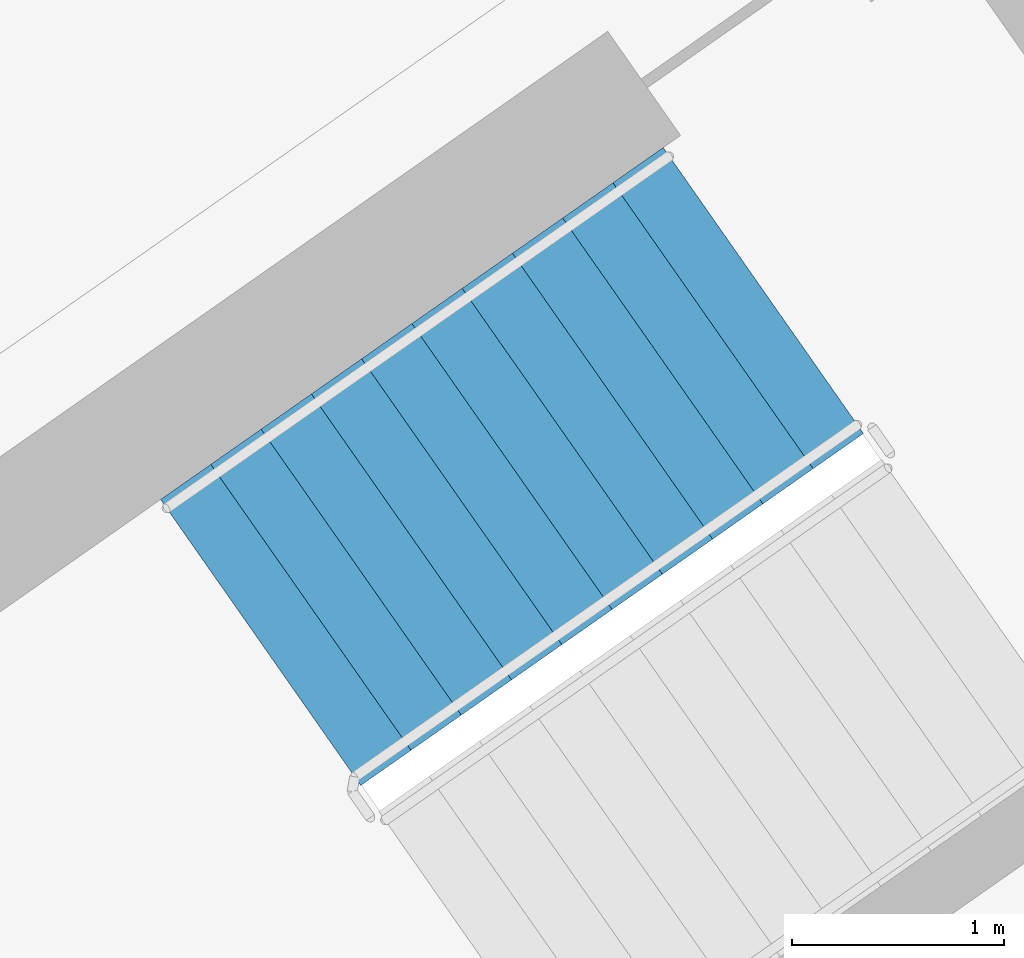
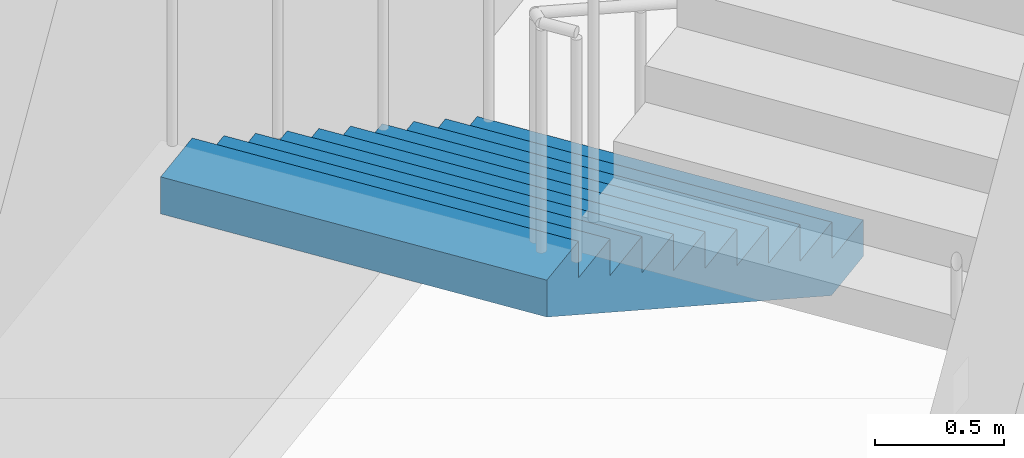
# One storey, part 16 of 27: 1 stair flight, 1 element without a shape of its own.
"""IFC4 building model written with IfcOpenShell, lengths in metres."""

from ifc_helpers import new_model, si_unit, direction, frame, origin, place, context, subcontext, project, spatial, faceted_brep, material, type_object, element, aggregate, save


model = new_model("IFC4")

# Units and contexts
model_context = context("Model", 3, precision=1e-05, world=origin(), true_north=direction((0.0, 1.0)))
body_context = subcontext(model_context, "Body", "Model", "MODEL_VIEW")
ifc_project = project(units=[si_unit("LENGTHUNIT", "METRE"), si_unit("AREAUNIT", "SQUARE_METRE"), si_unit("VOLUMEUNIT", "CUBIC_METRE"), si_unit("PLANEANGLEUNIT", "RADIAN"), si_unit("MASSUNIT", "GRAM", prefix="KILO")], contexts=[model_context])

# Site, building, storey
site_placement = place(None, origin())
site = spatial("IfcSite", under=ifc_project, at=site_placement, CompositionType="ELEMENT")
building_placement = place(site_placement, origin())
building = spatial("IfcBuilding", under=site, at=building_placement, Name="Qamariyya Broadcast Tower", CompositionType="ELEMENT")
storey_placement = place(building_placement, frame((0.0, 0.0, 237.89990234375)))
storey = spatial("IfcBuildingStorey", under=building, at=storey_placement, Name="L57", CompositionType="ELEMENT", Elevation=237.89990234375)

# Stair, stair flight
ifc_material = material(Name="Concrete C50/60", Category="concrete")
stair_type = type_object("IfcStairType", Name="Exit stair 22 risers of 173 mm", PredefinedType="HALF_TURN_STAIR", material=ifc_material)
stair_placement = place(storey_placement, origin())
stair = element("IfcStair", 1, at=stair_placement, inside=storey, type_object=stair_type, Name="L57 Stair E2", PredefinedType="HALF_TURN_STAIR")
stair_flight_type = type_object("IfcStairFlightType", Name="Exit stair flight 11 risers of 173 mm", PredefinedType="STRAIGHT", material=ifc_material)
stair_flight_placement = place(storey_placement, frame((40.558837890625, -47.685302734375, 0.0), z_axis=(0.0, 0.0, 1.0), x_axis=(-0.819152044289, -0.573576436351, 0.0)))
stair_flight = element("IfcStairFlight", 2, at=stair_flight_placement, type_object=stair_flight_type, Name="ST-E2 flight 1", NumberOfRisers=11, NumberOfTreads=10, PredefinedType="STRAIGHT", RiserHeight=0.172727273, TreadLength=0.29, context=body_context, shape_type="Brep", body=[
    faceted_brep([(0.0, 0.824951171875, 0.0), (0.0, 0.824951171875, 0.172607421875), (0.2900390625, 0.824951171875, 0.172607421875), (0.2900390625, 0.824951171875, 0.345458984375), (0.580078125, 0.824951171875, 0.345458984375), (0.580078125, 0.824951171875, 0.51806640625), (0.8701171875, 0.824951171875, 0.51806640625), (0.8701171875, 0.824951171875, 0.69091796875), (1.159912109375, 0.824951171875, 0.69091796875), (1.159912109375, 0.824951171875, 0.863525390625), (1.449951171875, 0.824951171875, 0.863525390625), (1.449951171875, 0.824951171875, 1.036376953125), (1.739990234375, 0.824951171875, 1.036376953125), (1.739990234375, 0.824951171875, 1.208984375), (2.030029296875, 0.824951171875, 1.208984375), (2.030029296875, 0.824951171875, 1.3818359375), (2.320068359375, 0.824951171875, 1.3818359375), (2.320068359375, 0.824951171875, 1.554443359375), (2.610107421875, 0.824951171875, 1.554443359375), (2.610107421875, 0.824951171875, 1.727294921875), (2.89990234375, 0.824951171875, 1.727294921875), (2.89990234375, 0.824951171875, 1.552734375), (0.29296875, 0.824951171875, 0.0), (0.29296875, -0.824951171875, 0.0), (2.89990234375, -0.824951171875, 1.552734375), (2.89990234375, -0.824951171875, 1.727294921875), (2.610107421875, -0.824951171875, 1.727294921875), (2.610107421875, -0.824951171875, 1.554443359375), (2.320068359375, -0.824951171875, 1.554443359375), (2.320068359375, -0.824951171875, 1.3818359375), (2.030029296875, -0.824951171875, 1.3818359375), (2.030029296875, -0.824951171875, 1.208984375), (1.739990234375, -0.824951171875, 1.208984375), (1.739990234375, -0.824951171875, 1.036376953125), (1.449951171875, -0.824951171875, 1.036376953125), (1.449951171875, -0.824951171875, 0.863525390625), (1.159912109375, -0.824951171875, 0.863525390625), (1.159912109375, -0.824951171875, 0.69091796875), (0.8701171875, -0.824951171875, 0.69091796875), (0.8701171875, -0.824951171875, 0.51806640625), (0.580078125, -0.824951171875, 0.51806640625), (0.580078125, -0.824951171875, 0.345458984375), (0.2900390625, -0.824951171875, 0.345458984375), (0.2900390625, -0.824951171875, 0.172607421875), (0.0, -0.824951171875, 0.172607421875), (0.0, -0.824951171875, 0.0), (0.0, 0.10009765625, 0.0), (0.0, 0.086669921875, 0.0), (0.0, 0.0732421875, 0.0), (0.0, 0.06005859375, 0.0), (0.0, 0.046630859375, 0.0), (0.0, 0.033447265625, 0.0), (0.0, 0.02001953125, 0.0), (0.0, 0.006591796875, 0.0), (0.0, -0.006591796875, 0.0), (0.0, -0.02001953125, 0.0), (0.0, -0.033447265625, 0.0), (0.0, -0.046630859375, 0.0), (0.0, -0.06005859375, 0.0), (0.0, -0.0732421875, 0.0), (0.0, -0.086669921875, 0.0), (0.0, -0.10009765625, 0.0), (0.0, -0.10009765625, 0.172607421875), (0.0, -0.086669921875, 0.172607421875), (0.0, -0.0732421875, 0.172607421875), (0.0, -0.06005859375, 0.172607421875), (0.0, -0.046630859375, 0.172607421875), (0.0, -0.033447265625, 0.172607421875), (0.0, -0.02001953125, 0.172607421875), (0.0, -0.006591796875, 0.172607421875), (0.0, 0.006591796875, 0.172607421875), (0.0, 0.02001953125, 0.172607421875), (0.0, 0.033447265625, 0.172607421875), (0.0, 0.046630859375, 0.172607421875), (0.0, 0.06005859375, 0.172607421875), (0.0, 0.0732421875, 0.172607421875), (0.0, 0.086669921875, 0.172607421875), (0.0, 0.10009765625, 0.172607421875), (0.2900390625, -0.10009765625, 0.172607421875), (0.2900390625, -0.086669921875, 0.172607421875), (0.2900390625, -0.0732421875, 0.172607421875), (0.2900390625, -0.06005859375, 0.172607421875), (0.2900390625, -0.046630859375, 0.172607421875), (0.2900390625, -0.033447265625, 0.172607421875), (0.2900390625, -0.02001953125, 0.172607421875), (0.2900390625, -0.006591796875, 0.172607421875), (0.2900390625, 0.006591796875, 0.172607421875), (0.2900390625, 0.02001953125, 0.172607421875), (0.2900390625, 0.033447265625, 0.172607421875), (0.2900390625, 0.046630859375, 0.172607421875), (0.2900390625, 0.06005859375, 0.172607421875), (0.2900390625, 0.0732421875, 0.172607421875), (0.2900390625, 0.086669921875, 0.172607421875), (0.2900390625, 0.10009765625, 0.172607421875), (0.2900390625, -0.10009765625, 0.345458984375), (0.2900390625, -0.086669921875, 0.345458984375), (0.2900390625, -0.0732421875, 0.345458984375), (0.2900390625, -0.06005859375, 0.345458984375), (0.2900390625, -0.046630859375, 0.345458984375), (0.2900390625, -0.033447265625, 0.345458984375), (0.2900390625, -0.02001953125, 0.345458984375), (0.2900390625, -0.006591796875, 0.345458984375), (0.2900390625, 0.006591796875, 0.345458984375), (0.2900390625, 0.02001953125, 0.345458984375), (0.2900390625, 0.033447265625, 0.345458984375), (0.2900390625, 0.046630859375, 0.345458984375), (0.2900390625, 0.06005859375, 0.345458984375), (0.2900390625, 0.0732421875, 0.345458984375), (0.2900390625, 0.086669921875, 0.345458984375), (0.2900390625, 0.10009765625, 0.345458984375), (0.580078125, -0.10009765625, 0.345458984375), (0.580078125, -0.086669921875, 0.345458984375), (0.580078125, -0.0732421875, 0.345458984375), (0.580078125, -0.06005859375, 0.345458984375), (0.580078125, -0.046630859375, 0.345458984375), (0.580078125, -0.033447265625, 0.345458984375), (0.580078125, -0.02001953125, 0.345458984375), (0.580078125, -0.006591796875, 0.345458984375), (0.580078125, 0.006591796875, 0.345458984375), (0.580078125, 0.02001953125, 0.345458984375), (0.580078125, 0.033447265625, 0.345458984375), (0.580078125, 0.046630859375, 0.345458984375), (0.580078125, 0.06005859375, 0.345458984375), (0.580078125, 0.0732421875, 0.345458984375), (0.580078125, 0.086669921875, 0.345458984375), (0.580078125, 0.10009765625, 0.345458984375), (0.580078125, -0.10009765625, 0.51806640625), (0.580078125, -0.086669921875, 0.51806640625), (0.580078125, -0.0732421875, 0.51806640625), (0.580078125, -0.06005859375, 0.51806640625), (0.580078125, -0.046630859375, 0.51806640625), (0.580078125, -0.033447265625, 0.51806640625), (0.580078125, -0.02001953125, 0.51806640625), (0.580078125, -0.006591796875, 0.51806640625), (0.580078125, 0.006591796875, 0.51806640625), (0.580078125, 0.02001953125, 0.51806640625), (0.580078125, 0.033447265625, 0.51806640625), (0.580078125, 0.046630859375, 0.51806640625), (0.580078125, 0.06005859375, 0.51806640625), (0.580078125, 0.0732421875, 0.51806640625), (0.580078125, 0.086669921875, 0.51806640625), (0.580078125, 0.10009765625, 0.51806640625), (0.8701171875, -0.10009765625, 0.51806640625), (0.8701171875, -0.086669921875, 0.51806640625), (0.8701171875, -0.0732421875, 0.51806640625), (0.8701171875, -0.06005859375, 0.51806640625), (0.8701171875, -0.046630859375, 0.51806640625), (0.8701171875, -0.033447265625, 0.51806640625), (0.8701171875, -0.02001953125, 0.51806640625), (0.8701171875, -0.006591796875, 0.51806640625), (0.8701171875, 0.006591796875, 0.51806640625), (0.8701171875, 0.02001953125, 0.51806640625), (0.8701171875, 0.033447265625, 0.51806640625), (0.8701171875, 0.046630859375, 0.51806640625), (0.8701171875, 0.06005859375, 0.51806640625), (0.8701171875, 0.0732421875, 0.51806640625), (0.8701171875, 0.086669921875, 0.51806640625), (0.8701171875, 0.10009765625, 0.51806640625), (0.8701171875, -0.10009765625, 0.69091796875), (0.8701171875, -0.086669921875, 0.69091796875), (0.8701171875, -0.0732421875, 0.69091796875), (0.8701171875, -0.06005859375, 0.69091796875), (0.8701171875, -0.046630859375, 0.69091796875), (0.8701171875, -0.033447265625, 0.69091796875), (0.8701171875, -0.02001953125, 0.69091796875), (0.8701171875, -0.006591796875, 0.69091796875), (0.8701171875, 0.006591796875, 0.69091796875), (0.8701171875, 0.02001953125, 0.69091796875), (0.8701171875, 0.033447265625, 0.69091796875), (0.8701171875, 0.046630859375, 0.69091796875), (0.8701171875, 0.06005859375, 0.69091796875), (0.8701171875, 0.0732421875, 0.69091796875), (0.8701171875, 0.086669921875, 0.69091796875), (0.8701171875, 0.10009765625, 0.69091796875), (1.159912109375, -0.10009765625, 0.69091796875), (1.159912109375, -0.086669921875, 0.69091796875), (1.159912109375, -0.0732421875, 0.69091796875), (1.159912109375, -0.06005859375, 0.69091796875), (1.159912109375, -0.046630859375, 0.69091796875), (1.159912109375, -0.033447265625, 0.69091796875), (1.159912109375, -0.02001953125, 0.69091796875), (1.159912109375, -0.006591796875, 0.69091796875), (1.159912109375, 0.006591796875, 0.69091796875), (1.159912109375, 0.02001953125, 0.69091796875), (1.159912109375, 0.033447265625, 0.69091796875), (1.159912109375, 0.046630859375, 0.69091796875), (1.159912109375, 0.06005859375, 0.69091796875), (1.159912109375, 0.0732421875, 0.69091796875), (1.159912109375, 0.086669921875, 0.69091796875), (1.159912109375, 0.10009765625, 0.69091796875), (1.159912109375, -0.10009765625, 0.863525390625), (1.159912109375, -0.086669921875, 0.863525390625), (1.159912109375, -0.0732421875, 0.863525390625), (1.159912109375, -0.06005859375, 0.863525390625), (1.159912109375, -0.046630859375, 0.863525390625), (1.159912109375, -0.033447265625, 0.863525390625), (1.159912109375, -0.02001953125, 0.863525390625), (1.159912109375, -0.006591796875, 0.863525390625), (1.159912109375, 0.006591796875, 0.863525390625), (1.159912109375, 0.02001953125, 0.863525390625), (1.159912109375, 0.033447265625, 0.863525390625), (1.159912109375, 0.046630859375, 0.863525390625), (1.159912109375, 0.06005859375, 0.863525390625), (1.159912109375, 0.0732421875, 0.863525390625), (1.159912109375, 0.086669921875, 0.863525390625), (1.159912109375, 0.10009765625, 0.863525390625), (1.449951171875, -0.10009765625, 0.863525390625), (1.449951171875, -0.086669921875, 0.863525390625), (1.449951171875, -0.0732421875, 0.863525390625), (1.449951171875, -0.06005859375, 0.863525390625), (1.449951171875, -0.046630859375, 0.863525390625), (1.449951171875, -0.033447265625, 0.863525390625), (1.449951171875, -0.02001953125, 0.863525390625), (1.449951171875, -0.006591796875, 0.863525390625), (1.449951171875, 0.006591796875, 0.863525390625), (1.449951171875, 0.02001953125, 0.863525390625), (1.449951171875, 0.033447265625, 0.863525390625), (1.449951171875, 0.046630859375, 0.863525390625), (1.449951171875, 0.06005859375, 0.863525390625), (1.449951171875, 0.0732421875, 0.863525390625), (1.449951171875, 0.086669921875, 0.863525390625), (1.449951171875, 0.10009765625, 0.863525390625), (1.449951171875, -0.10009765625, 1.036376953125), (1.449951171875, -0.086669921875, 1.036376953125), (1.449951171875, -0.0732421875, 1.036376953125), (1.449951171875, -0.06005859375, 1.036376953125), (1.449951171875, -0.046630859375, 1.036376953125), (1.449951171875, -0.033447265625, 1.036376953125), (1.449951171875, -0.02001953125, 1.036376953125), (1.449951171875, -0.006591796875, 1.036376953125), (1.449951171875, 0.006591796875, 1.036376953125), (1.449951171875, 0.02001953125, 1.036376953125), (1.449951171875, 0.033447265625, 1.036376953125), (1.449951171875, 0.046630859375, 1.036376953125), (1.449951171875, 0.06005859375, 1.036376953125), (1.449951171875, 0.0732421875, 1.036376953125), (1.449951171875, 0.086669921875, 1.036376953125), (1.449951171875, 0.10009765625, 1.036376953125), (1.739990234375, -0.10009765625, 1.036376953125), (1.739990234375, -0.086669921875, 1.036376953125), (1.739990234375, -0.0732421875, 1.036376953125), (1.739990234375, -0.06005859375, 1.036376953125), (1.739990234375, -0.046630859375, 1.036376953125), (1.739990234375, -0.033447265625, 1.036376953125), (1.739990234375, -0.02001953125, 1.036376953125), (1.739990234375, -0.006591796875, 1.036376953125), (1.739990234375, 0.006591796875, 1.036376953125), (1.739990234375, 0.02001953125, 1.036376953125), (1.739990234375, 0.033447265625, 1.036376953125), (1.739990234375, 0.046630859375, 1.036376953125), (1.739990234375, 0.06005859375, 1.036376953125), (1.739990234375, 0.0732421875, 1.036376953125), (1.739990234375, 0.086669921875, 1.036376953125), (1.739990234375, 0.10009765625, 1.036376953125), (1.739990234375, -0.10009765625, 1.208984375), (1.739990234375, -0.086669921875, 1.208984375), (1.739990234375, -0.0732421875, 1.208984375), (1.739990234375, -0.06005859375, 1.208984375), (1.739990234375, -0.046630859375, 1.208984375), (1.739990234375, -0.033447265625, 1.208984375), (1.739990234375, -0.02001953125, 1.208984375), (1.739990234375, -0.006591796875, 1.208984375), (1.739990234375, 0.006591796875, 1.208984375), (1.739990234375, 0.02001953125, 1.208984375), (1.739990234375, 0.033447265625, 1.208984375), (1.739990234375, 0.046630859375, 1.208984375), (1.739990234375, 0.06005859375, 1.208984375), (1.739990234375, 0.0732421875, 1.208984375), (1.739990234375, 0.086669921875, 1.208984375), (1.739990234375, 0.10009765625, 1.208984375), (2.030029296875, -0.10009765625, 1.208984375), (2.030029296875, -0.086669921875, 1.208984375), (2.030029296875, -0.0732421875, 1.208984375), (2.030029296875, -0.06005859375, 1.208984375), (2.030029296875, -0.046630859375, 1.208984375), (2.030029296875, -0.033447265625, 1.208984375), (2.030029296875, -0.02001953125, 1.208984375), (2.030029296875, -0.006591796875, 1.208984375), (2.030029296875, 0.006591796875, 1.208984375), (2.030029296875, 0.02001953125, 1.208984375), (2.030029296875, 0.033447265625, 1.208984375), (2.030029296875, 0.046630859375, 1.208984375), (2.030029296875, 0.06005859375, 1.208984375), (2.030029296875, 0.0732421875, 1.208984375), (2.030029296875, 0.086669921875, 1.208984375), (2.030029296875, 0.10009765625, 1.208984375), (2.030029296875, -0.10009765625, 1.3818359375), (2.030029296875, -0.086669921875, 1.3818359375), (2.030029296875, -0.0732421875, 1.3818359375), (2.030029296875, -0.06005859375, 1.3818359375), (2.030029296875, -0.046630859375, 1.3818359375), (2.030029296875, -0.033447265625, 1.3818359375), (2.030029296875, -0.02001953125, 1.3818359375), (2.030029296875, -0.006591796875, 1.3818359375), (2.030029296875, 0.006591796875, 1.3818359375), (2.030029296875, 0.02001953125, 1.3818359375), (2.030029296875, 0.033447265625, 1.3818359375), (2.030029296875, 0.046630859375, 1.3818359375), (2.030029296875, 0.06005859375, 1.3818359375), (2.030029296875, 0.0732421875, 1.3818359375), (2.030029296875, 0.086669921875, 1.3818359375), (2.030029296875, 0.10009765625, 1.3818359375), (2.320068359375, -0.10009765625, 1.3818359375), (2.320068359375, -0.086669921875, 1.3818359375), (2.320068359375, -0.0732421875, 1.3818359375), (2.320068359375, -0.06005859375, 1.3818359375), (2.320068359375, -0.046630859375, 1.3818359375), (2.320068359375, -0.033447265625, 1.3818359375), (2.320068359375, -0.02001953125, 1.3818359375), (2.320068359375, -0.006591796875, 1.3818359375), (2.320068359375, 0.006591796875, 1.3818359375), (2.320068359375, 0.02001953125, 1.3818359375), (2.320068359375, 0.033447265625, 1.3818359375), (2.320068359375, 0.046630859375, 1.3818359375), (2.320068359375, 0.06005859375, 1.3818359375), (2.320068359375, 0.0732421875, 1.3818359375), (2.320068359375, 0.086669921875, 1.3818359375), (2.320068359375, 0.10009765625, 1.3818359375), (2.320068359375, -0.10009765625, 1.554443359375), (2.320068359375, -0.086669921875, 1.554443359375), (2.320068359375, -0.0732421875, 1.554443359375), (2.320068359375, -0.06005859375, 1.554443359375), (2.320068359375, -0.046630859375, 1.554443359375), (2.320068359375, -0.033447265625, 1.554443359375), (2.320068359375, -0.02001953125, 1.554443359375), (2.320068359375, -0.006591796875, 1.554443359375), (2.320068359375, 0.006591796875, 1.554443359375), (2.320068359375, 0.02001953125, 1.554443359375), (2.320068359375, 0.033447265625, 1.554443359375), (2.320068359375, 0.046630859375, 1.554443359375), (2.320068359375, 0.06005859375, 1.554443359375), (2.320068359375, 0.0732421875, 1.554443359375), (2.320068359375, 0.086669921875, 1.554443359375), (2.320068359375, 0.10009765625, 1.554443359375), (2.610107421875, -0.10009765625, 1.554443359375), (2.610107421875, -0.086669921875, 1.554443359375), (2.610107421875, -0.0732421875, 1.554443359375), (2.610107421875, -0.06005859375, 1.554443359375), (2.610107421875, -0.046630859375, 1.554443359375), (2.610107421875, -0.033447265625, 1.554443359375), (2.610107421875, -0.02001953125, 1.554443359375), (2.610107421875, -0.006591796875, 1.554443359375), (2.610107421875, 0.006591796875, 1.554443359375), (2.610107421875, 0.02001953125, 1.554443359375), (2.610107421875, 0.033447265625, 1.554443359375), (2.610107421875, 0.046630859375, 1.554443359375), (2.610107421875, 0.06005859375, 1.554443359375), (2.610107421875, 0.0732421875, 1.554443359375), (2.610107421875, 0.086669921875, 1.554443359375), (2.610107421875, 0.10009765625, 1.554443359375), (2.610107421875, -0.10009765625, 1.727294921875), (2.610107421875, -0.086669921875, 1.727294921875), (2.610107421875, -0.0732421875, 1.727294921875), (2.610107421875, -0.06005859375, 1.727294921875), (2.610107421875, -0.046630859375, 1.727294921875), (2.610107421875, -0.033447265625, 1.727294921875), (2.610107421875, -0.02001953125, 1.727294921875), (2.610107421875, -0.006591796875, 1.727294921875), (2.610107421875, 0.006591796875, 1.727294921875), (2.610107421875, 0.02001953125, 1.727294921875), (2.610107421875, 0.033447265625, 1.727294921875), (2.610107421875, 0.046630859375, 1.727294921875), (2.610107421875, 0.06005859375, 1.727294921875), (2.610107421875, 0.0732421875, 1.727294921875), (2.610107421875, 0.086669921875, 1.727294921875), (2.610107421875, 0.10009765625, 1.727294921875), (2.89990234375, -0.10009765625, 1.727294921875), (2.89990234375, -0.086669921875, 1.727294921875), (2.89990234375, -0.0732421875, 1.727294921875), (2.89990234375, -0.06005859375, 1.727294921875), (2.89990234375, -0.046630859375, 1.727294921875), (2.89990234375, -0.033447265625, 1.727294921875), (2.89990234375, -0.02001953125, 1.727294921875), (2.89990234375, -0.006591796875, 1.727294921875), (2.89990234375, 0.006591796875, 1.727294921875), (2.89990234375, 0.02001953125, 1.727294921875), (2.89990234375, 0.033447265625, 1.727294921875), (2.89990234375, 0.046630859375, 1.727294921875), (2.89990234375, 0.06005859375, 1.727294921875), (2.89990234375, 0.0732421875, 1.727294921875), (2.89990234375, 0.086669921875, 1.727294921875), (2.89990234375, 0.10009765625, 1.727294921875), (2.89990234375, -0.10009765625, 1.552734375), (2.89990234375, -0.086669921875, 1.552734375), (2.89990234375, -0.0732421875, 1.552734375), (2.89990234375, -0.06005859375, 1.552734375), (2.89990234375, -0.046630859375, 1.552734375), (2.89990234375, -0.033447265625, 1.552734375), (2.89990234375, -0.02001953125, 1.552734375), (2.89990234375, -0.006591796875, 1.552734375), (2.89990234375, 0.006591796875, 1.552734375), (2.89990234375, 0.02001953125, 1.552734375), (2.89990234375, 0.033447265625, 1.552734375), (2.89990234375, 0.046630859375, 1.552734375), (2.89990234375, 0.06005859375, 1.552734375), (2.89990234375, 0.0732421875, 1.552734375), (2.89990234375, 0.086669921875, 1.552734375), (2.89990234375, 0.10009765625, 1.552734375), (0.29296875, -0.10009765625, 0.0), (0.29296875, -0.086669921875, 0.0), (0.29296875, -0.0732421875, 0.0), (0.29296875, -0.06005859375, 0.0), (0.29296875, -0.046630859375, 0.0), (0.29296875, -0.033447265625, 0.0), (0.29296875, -0.02001953125, 0.0), (0.29296875, -0.006591796875, 0.0), (0.29296875, 0.006591796875, 0.0), (0.29296875, 0.02001953125, 0.0), (0.29296875, 0.033447265625, 0.0), (0.29296875, 0.046630859375, 0.0), (0.29296875, 0.06005859375, 0.0), (0.29296875, 0.0732421875, 0.0), (0.29296875, 0.086669921875, 0.0), (0.29296875, 0.10009765625, 0.0)], [[[0, 1, 2, 3, 4, 5, 6, 7, 8, 9, 10, 11, 12, 13, 14, 15, 16, 17, 18, 19, 20, 21, 22]], [[23, 24, 25, 26, 27, 28, 29, 30, 31, 32, 33, 34, 35, 36, 37, 38, 39, 40, 41, 42, 43, 44, 45]], [[0, 46, 47, 48, 49, 50, 51, 52, 53, 54, 55, 56, 57, 58, 59, 60, 61, 45, 44, 62, 63, 64, 65, 66, 67, 68, 69, 70, 71, 72, 73, 74, 75, 76, 77, 1]], [[1, 77, 76, 75, 74, 73, 72, 71, 70, 69, 68, 67, 66, 65, 64, 63, 62, 44, 43, 78, 79, 80, 81, 82, 83, 84, 85, 86, 87, 88, 89, 90, 91, 92, 93, 2]], [[2, 93, 92, 91, 90, 89, 88, 87, 86, 85, 84, 83, 82, 81, 80, 79, 78, 43, 42, 94, 95, 96, 97, 98, 99, 100, 101, 102, 103, 104, 105, 106, 107, 108, 109, 3]], [[3, 109, 108, 107, 106, 105, 104, 103, 102, 101, 100, 99, 98, 97, 96, 95, 94, 42, 41, 110, 111, 112, 113, 114, 115, 116, 117, 118, 119, 120, 121, 122, 123, 124, 125, 4]], [[4, 125, 124, 123, 122, 121, 120, 119, 118, 117, 116, 115, 114, 113, 112, 111, 110, 41, 40, 126, 127, 128, 129, 130, 131, 132, 133, 134, 135, 136, 137, 138, 139, 140, 141, 5]], [[5, 141, 140, 139, 138, 137, 136, 135, 134, 133, 132, 131, 130, 129, 128, 127, 126, 40, 39, 142, 143, 144, 145, 146, 147, 148, 149, 150, 151, 152, 153, 154, 155, 156, 157, 6]], [[6, 157, 156, 155, 154, 153, 152, 151, 150, 149, 148, 147, 146, 145, 144, 143, 142, 39, 38, 158, 159, 160, 161, 162, 163, 164, 165, 166, 167, 168, 169, 170, 171, 172, 173, 7]], [[7, 173, 172, 171, 170, 169, 168, 167, 166, 165, 164, 163, 162, 161, 160, 159, 158, 38, 37, 174, 175, 176, 177, 178, 179, 180, 181, 182, 183, 184, 185, 186, 187, 188, 189, 8]], [[8, 189, 188, 187, 186, 185, 184, 183, 182, 181, 180, 179, 178, 177, 176, 175, 174, 37, 36, 190, 191, 192, 193, 194, 195, 196, 197, 198, 199, 200, 201, 202, 203, 204, 205, 9]], [[9, 205, 204, 203, 202, 201, 200, 199, 198, 197, 196, 195, 194, 193, 192, 191, 190, 36, 35, 206, 207, 208, 209, 210, 211, 212, 213, 214, 215, 216, 217, 218, 219, 220, 221, 10]], [[10, 221, 220, 219, 218, 217, 216, 215, 214, 213, 212, 211, 210, 209, 208, 207, 206, 35, 34, 222, 223, 224, 225, 226, 227, 228, 229, 230, 231, 232, 233, 234, 235, 236, 237, 11]], [[11, 237, 236, 235, 234, 233, 232, 231, 230, 229, 228, 227, 226, 225, 224, 223, 222, 34, 33, 238, 239, 240, 241, 242, 243, 244, 245, 246, 247, 248, 249, 250, 251, 252, 253, 12]], [[12, 253, 252, 251, 250, 249, 248, 247, 246, 245, 244, 243, 242, 241, 240, 239, 238, 33, 32, 254, 255, 256, 257, 258, 259, 260, 261, 262, 263, 264, 265, 266, 267, 268, 269, 13]], [[13, 269, 268, 267, 266, 265, 264, 263, 262, 261, 260, 259, 258, 257, 256, 255, 254, 32, 31, 270, 271, 272, 273, 274, 275, 276, 277, 278, 279, 280, 281, 282, 283, 284, 285, 14]], [[14, 285, 284, 283, 282, 281, 280, 279, 278, 277, 276, 275, 274, 273, 272, 271, 270, 31, 30, 286, 287, 288, 289, 290, 291, 292, 293, 294, 295, 296, 297, 298, 299, 300, 301, 15]], [[15, 301, 300, 299, 298, 297, 296, 295, 294, 293, 292, 291, 290, 289, 288, 287, 286, 30, 29, 302, 303, 304, 305, 306, 307, 308, 309, 310, 311, 312, 313, 314, 315, 316, 317, 16]], [[16, 317, 316, 315, 314, 313, 312, 311, 310, 309, 308, 307, 306, 305, 304, 303, 302, 29, 28, 318, 319, 320, 321, 322, 323, 324, 325, 326, 327, 328, 329, 330, 331, 332, 333, 17]], [[17, 333, 332, 331, 330, 329, 328, 327, 326, 325, 324, 323, 322, 321, 320, 319, 318, 28, 27, 334, 335, 336, 337, 338, 339, 340, 341, 342, 343, 344, 345, 346, 347, 348, 349, 18]], [[18, 349, 348, 347, 346, 345, 344, 343, 342, 341, 340, 339, 338, 337, 336, 335, 334, 27, 26, 350, 351, 352, 353, 354, 355, 356, 357, 358, 359, 360, 361, 362, 363, 364, 365, 19]], [[19, 365, 364, 363, 362, 361, 360, 359, 358, 357, 356, 355, 354, 353, 352, 351, 350, 26, 25, 366, 367, 368, 369, 370, 371, 372, 373, 374, 375, 376, 377, 378, 379, 380, 381, 20]], [[20, 381, 380, 379, 378, 377, 376, 375, 374, 373, 372, 371, 370, 369, 368, 367, 366, 25, 24, 382, 383, 384, 385, 386, 387, 388, 389, 390, 391, 392, 393, 394, 395, 396, 397, 21]], [[21, 397, 396, 395, 394, 393, 392, 391, 390, 389, 388, 387, 386, 385, 384, 383, 382, 24, 23, 398, 399, 400, 401, 402, 403, 404, 405, 406, 407, 408, 409, 410, 411, 412, 413, 22]], [[22, 413, 412, 411, 410, 409, 408, 407, 406, 405, 404, 403, 402, 401, 400, 399, 398, 23, 45, 61, 60, 59, 58, 57, 56, 55, 54, 53, 52, 51, 50, 49, 48, 47, 46, 0]]]),
])
aggregate(stair, [stair_flight])

save(model, "model.ifc")
